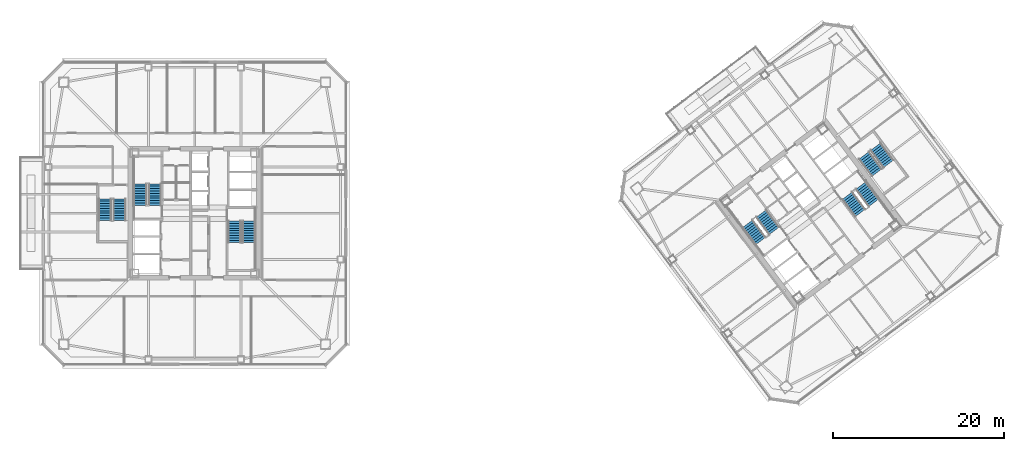
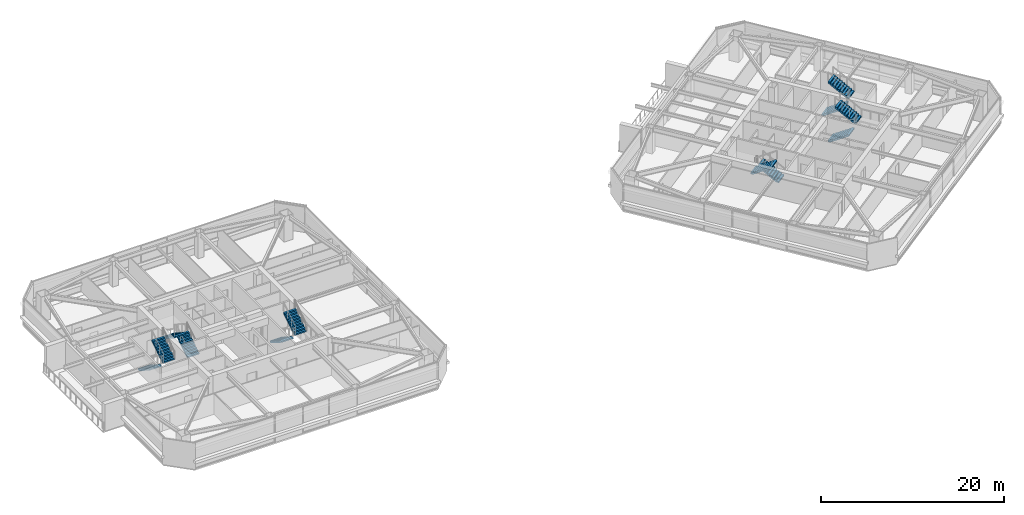
# One storey, part 36 of 43: 12 stair flights, 6 elements without a shape of their own.
"""IFC4 building model written with IfcOpenShell, lengths in metres."""

from ifc_helpers import new_model, si_unit, direction, frame, origin, place, context, subcontext, project, spatial, polyline, outline, extrude, material, type_object, element, aggregate, save


model = new_model("IFC4")

# Units and contexts
model_context = context("Model", 3, precision=1e-05, world=origin(), true_north=direction((0.0, 1.0)))
body_context = subcontext(model_context, "Body", "Model", "MODEL_VIEW")
ifc_project = project(units=[si_unit("LENGTHUNIT", "METRE"), si_unit("AREAUNIT", "SQUARE_METRE"), si_unit("VOLUMEUNIT", "CUBIC_METRE"), si_unit("PLANEANGLEUNIT", "RADIAN"), si_unit("MASSUNIT", "GRAM", prefix="KILO")], contexts=[model_context])

# Site, building, storey
site_placement = place(None, origin())
site = spatial("IfcSite", under=ifc_project, at=site_placement, CompositionType="ELEMENT")
building_placement = place(site_placement, origin())
building = spatial("IfcBuilding", under=site, at=building_placement, Name="Tashvorn Skyway Center", CompositionType="ELEMENT")
storey_placement = place(building_placement, frame((0.0, 0.0, 188.949951171875)))
storey = spatial("IfcBuildingStorey", under=building, at=storey_placement, Name="L51", CompositionType="ELEMENT", Elevation=188.949951171875)

# Stair, stair flights
ifc_material = material(Name="Concrete C40/50", Category="concrete")
stair_type = type_object("IfcStairType", Name="STAIR-CORE-1500", PredefinedType="HALF_TURN_STAIR", material=ifc_material)
stair_1_placement = place(storey_placement, origin())
stair_1 = element("IfcStair", 1, at=stair_1_placement, inside=storey, type_object=stair_type, Name="L51 Tower 1 Exit Stair 1", PredefinedType="HALF_TURN_STAIR")
stair_flight_type = type_object("IfcStairFlightType", Name="SFLIGHT-1500", PredefinedType="STRAIGHT", material=ifc_material)
stair_flight_1_placement = place(storey_placement, frame((37.35009765625, 32.919921875, 0.0), z_axis=(0.0, 0.0, 1.0), x_axis=(0.0, 1.0, 0.0)))
stair_flight_1 = element("IfcStairFlight", 2, at=stair_flight_1_placement, type_object=stair_flight_type, Name="ST-T1-1 flight 1", NumberOfRisers=10, NumberOfTreads=9, PredefinedType="STRAIGHT", RiserHeight=0.1775, TreadLength=0.28, context=body_context, shape_type="SweptSolid", body=[
    extrude(outline(polyline([(0.0, 0.0), (0.0, 0.177490234375), (0.280029296875, 0.177490234375), (0.280029296875, 0.35498046875), (0.56005859375, 0.35498046875), (0.56005859375, 0.532470703125), (0.840087890625, 0.532470703125), (0.840087890625, 0.7099609375), (1.1201171875, 0.7099609375), (1.1201171875, 0.887451171875), (1.39990234375, 0.887451171875), (1.39990234375, 1.06494140625), (1.679931640625, 1.06494140625), (1.679931640625, 1.242431640625), (1.9599609375, 1.242431640625), (1.9599609375, 1.419921875), (2.239990234375, 1.419921875), (2.239990234375, 1.597412109375), (2.52001953125, 1.597412109375), (2.52001953125, 1.77490234375), (2.52001953125, 1.419921875), (0.280029296875, 0.0), (0.0, 0.0)])), frame((0.0, 0.75, 0.0), z_axis=(0.0, -1.0, 0.0), x_axis=(1.0, 0.0, 0.0)), (0.0, 0.0, 1.0), 1.5),
])
stair_flight_2_placement = place(storey_placement, frame((35.64990234375, 35.43994140625, 1.775146484375), z_axis=(0.0, 0.0, 1.0), x_axis=(0.0, -1.0, 0.0)))
stair_flight_2 = element("IfcStairFlight", 3, at=stair_flight_2_placement, type_object=stair_flight_type, Name="ST-T1-1 flight 2", NumberOfRisers=10, NumberOfTreads=9, PredefinedType="STRAIGHT", RiserHeight=0.1775, TreadLength=0.28, context=body_context, shape_type="SweptSolid", body=[
    extrude(outline(polyline([(0.0, 0.0), (0.0, 0.177490234375), (0.280029296875, 0.177490234375), (0.280029296875, 0.35498046875), (0.56005859375, 0.35498046875), (0.56005859375, 0.532470703125), (0.840087890625, 0.532470703125), (0.840087890625, 0.7099609375), (1.1201171875, 0.7099609375), (1.1201171875, 0.887451171875), (1.39990234375, 0.887451171875), (1.39990234375, 1.06494140625), (1.679931640625, 1.06494140625), (1.679931640625, 1.242431640625), (1.9599609375, 1.242431640625), (1.9599609375, 1.419921875), (2.239990234375, 1.419921875), (2.239990234375, 1.597412109375), (2.52001953125, 1.597412109375), (2.52001953125, 1.77490234375), (2.52001953125, 1.419921875), (0.280029296875, 0.0), (0.0, 0.0)])), frame((0.0, 0.75, 0.0), z_axis=(0.0, -1.0, 0.0), x_axis=(1.0, 0.0, 0.0)), (0.0, 0.0, 1.0), 1.5),
])
aggregate(stair_1, [stair_flight_1, stair_flight_2])

stair_2_placement = place(storey_placement, origin())
stair_2 = element("IfcStair", 4, at=stair_2_placement, inside=storey, type_object=stair_type, Name="L51 Tower 1 Exit Stair 2", PredefinedType="HALF_TURN_STAIR")
stair_flight_3_placement = place(storey_placement, frame((46.64990234375, 31.080078125, 0.0), z_axis=(0.0, 0.0, 1.0), x_axis=(0.0, -1.0, 0.0)))
stair_flight_3 = element("IfcStairFlight", 5, at=stair_flight_3_placement, type_object=stair_flight_type, Name="ST-T1-2 flight 1", NumberOfRisers=10, NumberOfTreads=9, PredefinedType="STRAIGHT", RiserHeight=0.1775, TreadLength=0.28, context=body_context, shape_type="SweptSolid", body=[
    extrude(outline(polyline([(0.0, 0.0), (0.0, 0.177490234375), (0.280029296875, 0.177490234375), (0.280029296875, 0.35498046875), (0.56005859375, 0.35498046875), (0.56005859375, 0.532470703125), (0.840087890625, 0.532470703125), (0.840087890625, 0.7099609375), (1.1201171875, 0.7099609375), (1.1201171875, 0.887451171875), (1.39990234375, 0.887451171875), (1.39990234375, 1.06494140625), (1.679931640625, 1.06494140625), (1.679931640625, 1.242431640625), (1.9599609375, 1.242431640625), (1.9599609375, 1.419921875), (2.239990234375, 1.419921875), (2.239990234375, 1.597412109375), (2.52001953125, 1.597412109375), (2.52001953125, 1.77490234375), (2.52001953125, 1.419921875), (0.280029296875, 0.0), (0.0, 0.0)])), frame((0.0, 0.75, 0.0), z_axis=(0.0, -1.0, 0.0), x_axis=(1.0, 0.0, 0.0)), (0.0, 0.0, 1.0), 1.5),
])
stair_flight_4_placement = place(storey_placement, frame((48.35009765625, 28.56005859375, 1.775146484375), z_axis=(0.0, 0.0, 1.0), x_axis=(0.0, 1.0, 0.0)))
stair_flight_4 = element("IfcStairFlight", 6, at=stair_flight_4_placement, type_object=stair_flight_type, Name="ST-T1-2 flight 2", NumberOfRisers=10, NumberOfTreads=9, PredefinedType="STRAIGHT", RiserHeight=0.1775, TreadLength=0.28, context=body_context, shape_type="SweptSolid", body=[
    extrude(outline(polyline([(0.0, 0.0), (0.0, 0.177490234375), (0.280029296875, 0.177490234375), (0.280029296875, 0.35498046875), (0.56005859375, 0.35498046875), (0.56005859375, 0.532470703125), (0.840087890625, 0.532470703125), (0.840087890625, 0.7099609375), (1.1201171875, 0.7099609375), (1.1201171875, 0.887451171875), (1.39990234375, 0.887451171875), (1.39990234375, 1.06494140625), (1.679931640625, 1.06494140625), (1.679931640625, 1.242431640625), (1.9599609375, 1.242431640625), (1.9599609375, 1.419921875), (2.239990234375, 1.419921875), (2.239990234375, 1.597412109375), (2.52001953125, 1.597412109375), (2.52001953125, 1.77490234375), (2.52001953125, 1.419921875), (0.280029296875, 0.0), (0.0, 0.0)])), frame((0.0, 0.75, 0.0), z_axis=(0.0, -1.0, 0.0), x_axis=(1.0, 0.0, 0.0)), (0.0, 0.0, 1.0), 1.5),
])
aggregate(stair_2, [stair_flight_3, stair_flight_4])

stair_3_placement = place(storey_placement, origin())
stair_3 = element("IfcStair", 7, at=stair_3_placement, inside=storey, type_object=stair_type, Name="L51 Tower 2 Exit Stair 1", PredefinedType="HALF_TURN_STAIR")
stair_flight_5_placement = place(storey_placement, frame((109.72802734375, 29.946044921875, 0.0), z_axis=(0.0, 0.0, 1.0), x_axis=(-0.600000004945, 0.799999996291, 0.0)))
stair_flight_5 = element("IfcStairFlight", 8, at=stair_flight_5_placement, type_object=stair_flight_type, Name="ST-T2-1 flight 1", NumberOfRisers=10, NumberOfTreads=9, PredefinedType="STRAIGHT", RiserHeight=0.1775, TreadLength=0.28, context=body_context, shape_type="SweptSolid", body=[
    extrude(outline(polyline([(0.0, 0.0), (0.0, 0.177490234375), (0.280029296875, 0.177490234375), (0.280029296875, 0.35498046875), (0.56005859375, 0.35498046875), (0.56005859375, 0.532470703125), (0.840087890625, 0.532470703125), (0.840087890625, 0.7099609375), (1.1201171875, 0.7099609375), (1.1201171875, 0.887451171875), (1.39990234375, 0.887451171875), (1.39990234375, 1.06494140625), (1.679931640625, 1.06494140625), (1.679931640625, 1.242431640625), (1.9599609375, 1.242431640625), (1.9599609375, 1.419921875), (2.239990234375, 1.419921875), (2.239990234375, 1.597412109375), (2.52001953125, 1.597412109375), (2.52001953125, 1.77490234375), (2.52001953125, 1.419921875), (0.280029296875, 0.0), (0.0, 0.0)])), frame((0.0, 0.75, 0.0), z_axis=(0.0, -1.0, 0.0), x_axis=(1.0, 0.0, 0.0)), (0.0, 0.0, 1.0), 1.5),
])
stair_flight_6_placement = place(storey_placement, frame((106.632080078125, 30.77392578125, 1.775146484375), z_axis=(0.0, 0.0, 1.0), x_axis=(0.600000004945, -0.799999996291, 0.0)))
stair_flight_6 = element("IfcStairFlight", 9, at=stair_flight_6_placement, type_object=stair_flight_type, Name="ST-T2-1 flight 2", NumberOfRisers=10, NumberOfTreads=9, PredefinedType="STRAIGHT", RiserHeight=0.1775, TreadLength=0.28, context=body_context, shape_type="SweptSolid", body=[
    extrude(outline(polyline([(0.0, 0.0), (0.0, 0.177490234375), (0.280029296875, 0.177490234375), (0.280029296875, 0.35498046875), (0.56005859375, 0.35498046875), (0.56005859375, 0.532470703125), (0.840087890625, 0.532470703125), (0.840087890625, 0.7099609375), (1.1201171875, 0.7099609375), (1.1201171875, 0.887451171875), (1.39990234375, 0.887451171875), (1.39990234375, 1.06494140625), (1.679931640625, 1.06494140625), (1.679931640625, 1.242431640625), (1.9599609375, 1.242431640625), (1.9599609375, 1.419921875), (2.239990234375, 1.419921875), (2.239990234375, 1.597412109375), (2.52001953125, 1.597412109375), (2.52001953125, 1.77490234375), (2.52001953125, 1.419921875), (0.280029296875, 0.0), (0.0, 0.0)])), frame((0.0, 0.75, 0.0), z_axis=(0.0, -1.0, 0.0), x_axis=(1.0, 0.0, 0.0)), (0.0, 0.0, 1.0), 1.5),
])
aggregate(stair_3, [stair_flight_5, stair_flight_6])

stair_4_placement = place(storey_placement, origin())
stair_4 = element("IfcStair", 10, at=stair_4_placement, inside=storey, type_object=stair_type, Name="L51 Tower 2 Exit Stair 2", PredefinedType="HALF_TURN_STAIR")
stair_flight_7_placement = place(storey_placement, frame((118.27197265625, 34.053955078125, 0.0), z_axis=(0.0, 0.0, 1.0), x_axis=(0.600000004945, -0.799999996291, 0.0)))
stair_flight_7 = element("IfcStairFlight", 11, at=stair_flight_7_placement, type_object=stair_flight_type, Name="ST-T2-2 flight 1", NumberOfRisers=10, NumberOfTreads=9, PredefinedType="STRAIGHT", RiserHeight=0.1775, TreadLength=0.28, context=body_context, shape_type="SweptSolid", body=[
    extrude(outline(polyline([(0.0, 0.0), (0.0, 0.177490234375), (0.280029296875, 0.177490234375), (0.280029296875, 0.35498046875), (0.56005859375, 0.35498046875), (0.56005859375, 0.532470703125), (0.840087890625, 0.532470703125), (0.840087890625, 0.7099609375), (1.1201171875, 0.7099609375), (1.1201171875, 0.887451171875), (1.39990234375, 0.887451171875), (1.39990234375, 1.06494140625), (1.679931640625, 1.06494140625), (1.679931640625, 1.242431640625), (1.9599609375, 1.242431640625), (1.9599609375, 1.419921875), (2.239990234375, 1.419921875), (2.239990234375, 1.597412109375), (2.52001953125, 1.597412109375), (2.52001953125, 1.77490234375), (2.52001953125, 1.419921875), (0.280029296875, 0.0), (0.0, 0.0)])), frame((0.0, 0.75, 0.0), z_axis=(0.0, -1.0, 0.0), x_axis=(1.0, 0.0, 0.0)), (0.0, 0.0, 1.0), 1.5),
])
stair_flight_8_placement = place(storey_placement, frame((121.367919921875, 33.22607421875, 1.775146484375), z_axis=(0.0, 0.0, 1.0), x_axis=(-0.600000004945, 0.799999996291, 0.0)))
stair_flight_8 = element("IfcStairFlight", 12, at=stair_flight_8_placement, type_object=stair_flight_type, Name="ST-T2-2 flight 2", NumberOfRisers=10, NumberOfTreads=9, PredefinedType="STRAIGHT", RiserHeight=0.1775, TreadLength=0.28, context=body_context, shape_type="SweptSolid", body=[
    extrude(outline(polyline([(0.0, 0.0), (0.0, 0.177490234375), (0.280029296875, 0.177490234375), (0.280029296875, 0.35498046875), (0.56005859375, 0.35498046875), (0.56005859375, 0.532470703125), (0.840087890625, 0.532470703125), (0.840087890625, 0.7099609375), (1.1201171875, 0.7099609375), (1.1201171875, 0.887451171875), (1.39990234375, 0.887451171875), (1.39990234375, 1.06494140625), (1.679931640625, 1.06494140625), (1.679931640625, 1.242431640625), (1.9599609375, 1.242431640625), (1.9599609375, 1.419921875), (2.239990234375, 1.419921875), (2.239990234375, 1.597412109375), (2.52001953125, 1.597412109375), (2.52001953125, 1.77490234375), (2.52001953125, 1.419921875), (0.280029296875, 0.0), (0.0, 0.0)])), frame((0.0, 0.75, 0.0), z_axis=(0.0, -1.0, 0.0), x_axis=(1.0, 0.0, 0.0)), (0.0, 0.0, 1.0), 1.5),
])
aggregate(stair_4, [stair_flight_7, stair_flight_8])

stair_5_placement = place(storey_placement, origin())
stair_5 = element("IfcStair", 13, at=stair_5_placement, inside=storey, type_object=stair_type, Name="L51 Tower 1 Exit Stair 3", PredefinedType="HALF_TURN_STAIR")
stair_flight_9_placement = place(storey_placement, frame((31.550048828125, 33.679931640625, 0.0), z_axis=(0.0, 0.0, 1.0), x_axis=(0.0, -1.0, 0.0)))
stair_flight_9 = element("IfcStairFlight", 14, at=stair_flight_9_placement, type_object=stair_flight_type, Name="ST-T1-3 flight 1", NumberOfRisers=10, NumberOfTreads=9, PredefinedType="STRAIGHT", RiserHeight=0.1775, TreadLength=0.28, context=body_context, shape_type="SweptSolid", body=[
    extrude(outline(polyline([(0.0, 0.0), (0.0, 0.177490234375), (0.280029296875, 0.177490234375), (0.280029296875, 0.35498046875), (0.56005859375, 0.35498046875), (0.56005859375, 0.532470703125), (0.840087890625, 0.532470703125), (0.840087890625, 0.7099609375), (1.1201171875, 0.7099609375), (1.1201171875, 0.887451171875), (1.39990234375, 0.887451171875), (1.39990234375, 1.06494140625), (1.679931640625, 1.06494140625), (1.679931640625, 1.242431640625), (1.9599609375, 1.242431640625), (1.9599609375, 1.419921875), (2.239990234375, 1.419921875), (2.239990234375, 1.597412109375), (2.52001953125, 1.597412109375), (2.52001953125, 1.77490234375), (2.52001953125, 1.419921875), (0.280029296875, 0.0), (0.0, 0.0)])), frame((0.0, 0.75, 0.0), z_axis=(0.0, -1.0, 0.0), x_axis=(1.0, 0.0, 0.0)), (0.0, 0.0, 1.0), 1.5),
])
stair_flight_10_placement = place(storey_placement, frame((33.25, 31.159912109375, 1.775146484375), z_axis=(0.0, 0.0, 1.0), x_axis=(0.0, 1.0, 0.0)))
stair_flight_10 = element("IfcStairFlight", 15, at=stair_flight_10_placement, type_object=stair_flight_type, Name="ST-T1-3 flight 2", NumberOfRisers=10, NumberOfTreads=9, PredefinedType="STRAIGHT", RiserHeight=0.1775, TreadLength=0.28, context=body_context, shape_type="SweptSolid", body=[
    extrude(outline(polyline([(0.0, 0.0), (0.0, 0.177490234375), (0.280029296875, 0.177490234375), (0.280029296875, 0.35498046875), (0.56005859375, 0.35498046875), (0.56005859375, 0.532470703125), (0.840087890625, 0.532470703125), (0.840087890625, 0.7099609375), (1.1201171875, 0.7099609375), (1.1201171875, 0.887451171875), (1.39990234375, 0.887451171875), (1.39990234375, 1.06494140625), (1.679931640625, 1.06494140625), (1.679931640625, 1.242431640625), (1.9599609375, 1.242431640625), (1.9599609375, 1.419921875), (2.239990234375, 1.419921875), (2.239990234375, 1.597412109375), (2.52001953125, 1.597412109375), (2.52001953125, 1.77490234375), (2.52001953125, 1.419921875), (0.280029296875, 0.0), (0.0, 0.0)])), frame((0.0, 0.75, 0.0), z_axis=(0.0, -1.0, 0.0), x_axis=(1.0, 0.0, 0.0)), (0.0, 0.0, 1.0), 1.5),
])
aggregate(stair_5, [stair_flight_9, stair_flight_10])

stair_6_placement = place(storey_placement, origin())
stair_6 = element("IfcStair", 16, at=stair_6_placement, inside=storey, type_object=stair_type, Name="L51 Tower 2 Exit Stair 3", PredefinedType="HALF_TURN_STAIR")
stair_flight_11_placement = place(storey_placement, frame((120.216064453125, 38.761962890625, 0.0), z_axis=(0.0, 0.0, 1.0), x_axis=(0.600000004945, -0.799999996291, 0.0)))
stair_flight_11 = element("IfcStairFlight", 17, at=stair_flight_11_placement, type_object=stair_flight_type, Name="ST-T2-3 flight 1", NumberOfRisers=10, NumberOfTreads=9, PredefinedType="STRAIGHT", RiserHeight=0.1775, TreadLength=0.28, context=body_context, shape_type="SweptSolid", body=[
    extrude(outline(polyline([(0.0, 0.0), (0.0, 0.177490234375), (0.280029296875, 0.177490234375), (0.280029296875, 0.35498046875), (0.56005859375, 0.35498046875), (0.56005859375, 0.532470703125), (0.840087890625, 0.532470703125), (0.840087890625, 0.7099609375), (1.1201171875, 0.7099609375), (1.1201171875, 0.887451171875), (1.39990234375, 0.887451171875), (1.39990234375, 1.06494140625), (1.679931640625, 1.06494140625), (1.679931640625, 1.242431640625), (1.9599609375, 1.242431640625), (1.9599609375, 1.419921875), (2.239990234375, 1.419921875), (2.239990234375, 1.597412109375), (2.52001953125, 1.597412109375), (2.52001953125, 1.77490234375), (2.52001953125, 1.419921875), (0.280029296875, 0.0), (0.0, 0.0)])), frame((0.0, 0.75, 0.0), z_axis=(0.0, -1.0, 0.0), x_axis=(1.0, 0.0, 0.0)), (0.0, 0.0, 1.0), 1.5),
])
stair_flight_12_placement = place(storey_placement, frame((123.087890625, 37.76611328125, 1.775146484375), z_axis=(0.0, 0.0, 1.0), x_axis=(-0.600000004945, 0.799999996291, 0.0)))
stair_flight_12 = element("IfcStairFlight", 18, at=stair_flight_12_placement, type_object=stair_flight_type, Name="ST-T2-3 flight 2", NumberOfRisers=10, NumberOfTreads=9, PredefinedType="STRAIGHT", RiserHeight=0.1775, TreadLength=0.28, context=body_context, shape_type="SweptSolid", body=[
    extrude(outline(polyline([(0.0, 0.0), (0.0, 0.177490234375), (0.280029296875, 0.177490234375), (0.280029296875, 0.35498046875), (0.56005859375, 0.35498046875), (0.56005859375, 0.532470703125), (0.840087890625, 0.532470703125), (0.840087890625, 0.7099609375), (1.1201171875, 0.7099609375), (1.1201171875, 0.887451171875), (1.39990234375, 0.887451171875), (1.39990234375, 1.06494140625), (1.679931640625, 1.06494140625), (1.679931640625, 1.242431640625), (1.9599609375, 1.242431640625), (1.9599609375, 1.419921875), (2.239990234375, 1.419921875), (2.239990234375, 1.597412109375), (2.52001953125, 1.597412109375), (2.52001953125, 1.77490234375), (2.52001953125, 1.419921875), (0.280029296875, 0.0), (0.0, 0.0)])), frame((0.0, 0.75, 0.0), z_axis=(0.0, -1.0, 0.0), x_axis=(1.0, 0.0, 0.0)), (0.0, 0.0, 1.0), 1.5),
])
aggregate(stair_6, [stair_flight_11, stair_flight_12])

save(model, "model.ifc")
